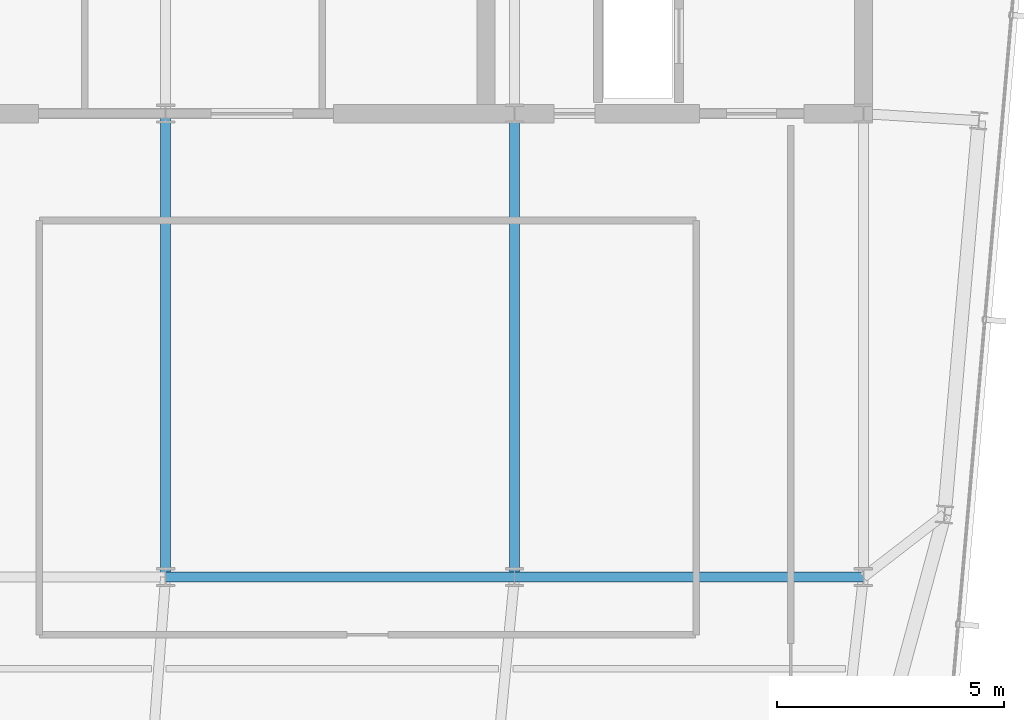
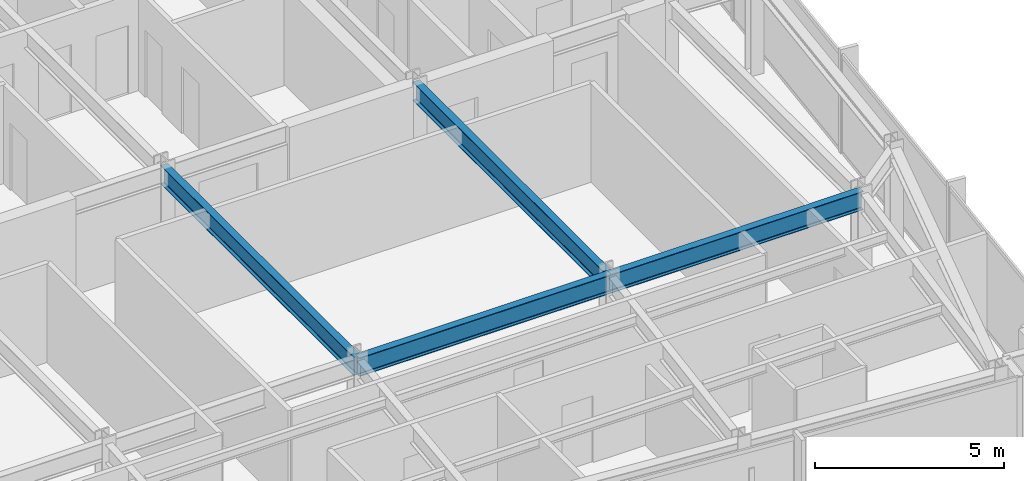
# One storey, part 15 of 32: 4 beams.
"""IFC4 building model written with IfcOpenShell, lengths in metres."""

from ifc_helpers import new_model, si_unit, direction, frame, origin, origin_2d, place, context, subcontext, project, spatial, i_section, extrude, material, material_profile, profile_set, type_object, element, save


model = new_model("IFC4")

# Units and contexts
model_context = context("Model", 3, precision=1e-05, world=origin(), true_north=direction((0.0, 1.0)))
body_context = subcontext(model_context, "Body", "Model", "MODEL_VIEW")
ifc_project = project(units=[si_unit("LENGTHUNIT", "METRE"), si_unit("AREAUNIT", "SQUARE_METRE"), si_unit("VOLUMEUNIT", "CUBIC_METRE"), si_unit("PLANEANGLEUNIT", "RADIAN"), si_unit("MASSUNIT", "GRAM", prefix="KILO")], contexts=[model_context])

# Site, building, storey
site_placement = place(None, origin())
site = spatial("IfcSite", under=ifc_project, at=site_placement, CompositionType="ELEMENT")
building_placement = place(site_placement, origin())
building = spatial("IfcBuilding", under=site, at=building_placement, Name="Yelkora Congress Tower", CompositionType="ELEMENT")
storey_placement = place(building_placement, frame((0.0, 0.0, 279.5)))
storey = spatial("IfcBuildingStorey", under=building, at=storey_placement, Name="L78", CompositionType="ELEMENT", Elevation=279.5)

# Beams
ifc_material = material(Name="Steel S355J2", Category="steel")
ifc_material_profile = material_profile(ifc_material, i_section(OverallWidth=0.219970703125, OverallDepth=0.60009765625, WebThickness=0.011962890625, FlangeThickness=0.01904296875, FilletRadius=0.02392578125, at=origin_2d()), Name="IPE 600")
ifc_profile_set = profile_set([ifc_material_profile], Name="Steel S355J2")
beam_type = type_object("IfcBeamType", Name="BM-GIRD-IPE600", PredefinedType="BEAM", material=ifc_profile_set)
beam_1_placement = place(storey_placement, frame((38.39990234375, 25.199951171875, 2.8798828125), z_axis=(1.0, 0.0, 0.0), x_axis=(0.0, 1.0, 0.0)))
element("IfcBeam", 1, at=beam_1_placement, inside=storey, type_object=beam_type, Name="L78 Spine Grid D Girder 3", PredefinedType="BEAM", context=body_context, shape_type="SweptSolid", body=[
    extrude(i_section(OverallWidth=0.219970703125, OverallDepth=0.60009765625, WebThickness=0.011962890625, FlangeThickness=0.01904296875, FilletRadius=0.02392578125, at=origin_2d()), origin(), (0.0, 0.0, 1.0), 7.68017578125),
])
beam_2_placement = place(storey_placement, frame((46.080078125, 25.199951171875, 2.8798828125), z_axis=(1.0, 0.0, 0.0), x_axis=(0.0, 1.0, 0.0)))
element("IfcBeam", 2, at=beam_2_placement, inside=storey, type_object=beam_type, Name="L78 Spine Grid D Girder 4", PredefinedType="BEAM", context=body_context, shape_type="SweptSolid", body=[
    extrude(i_section(OverallWidth=0.219970703125, OverallDepth=0.60009765625, WebThickness=0.011962890625, FlangeThickness=0.01904296875, FilletRadius=0.02392578125, at=origin_2d()), origin(), (0.0, 0.0, 1.0), 7.679931640625),
])
for number, where, z_axis, x_axis, name in (
    (3, (38.39990234375, 25.199951171875, 2.8798828125), (0.0, 1.0, 0.0), (-1.0, 0.0, 0.0), "L78 Core Tie Girder MC-D3"),
    (4, (46.080078125, 25.199951171875, 2.8798828125), (0.0, 1.0, 0.0), (-1.0, 0.0, 0.0), "L78 Core Tie Girder MC-D4"),
):
    element("IfcBeam", number, at=place(storey_placement, frame(where, z_axis=z_axis, x_axis=x_axis)), inside=storey, type_object=beam_type, Name=name, PredefinedType="BEAM", context=body_context, shape_type="SweptSolid", body=[
        extrude(i_section(OverallWidth=0.219970703125, OverallDepth=0.60009765625, WebThickness=0.011962890625, FlangeThickness=0.01904296875, FilletRadius=0.02392578125, at=origin_2d()), origin(), (0.0, 0.0, 1.0), 10.199951171875),
    ])

save(model, "model.ifc")
